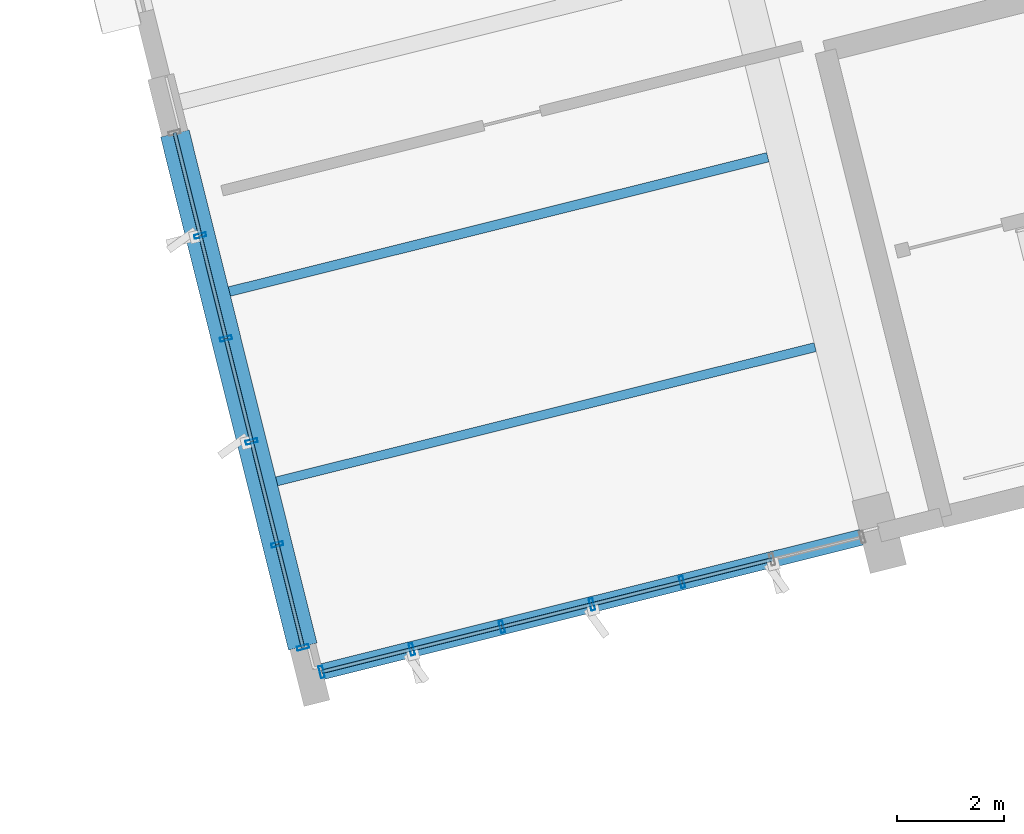
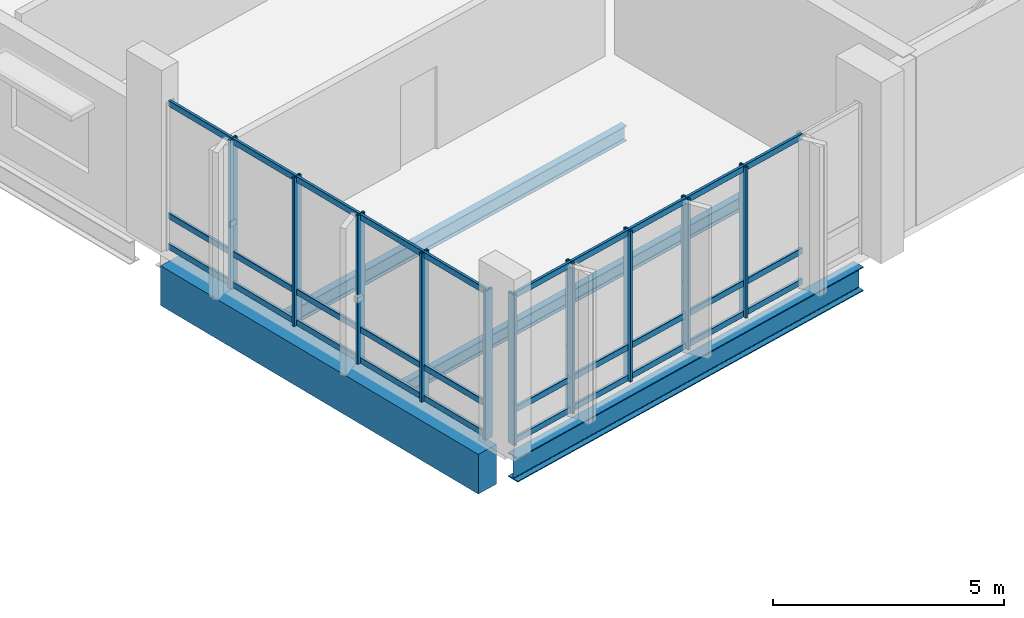
# One storey, part 59 of 137: 40 members, 4 beams, 2 elements without a shape of their own.
"""IFC4 building model written with IfcOpenShell, lengths in metres."""

from ifc_helpers import new_model, si_unit, direction, frame, origin, origin_2d, place, context, subcontext, project, spatial, rectangle, hollow_rectangle, i_section, extrude, material, layer, layer_set, material_profile, profile_set, type_object, element, aggregate, save


model = new_model("IFC4")

# Units and contexts
model_context = context("Model", 3, precision=1e-05, world=origin(), true_north=direction((0.0, 1.0)))
body_context = subcontext(model_context, "Body", "Model", "MODEL_VIEW")
ifc_project = project(units=[si_unit("LENGTHUNIT", "METRE"), si_unit("AREAUNIT", "SQUARE_METRE"), si_unit("VOLUMEUNIT", "CUBIC_METRE"), si_unit("PLANEANGLEUNIT", "RADIAN"), si_unit("MASSUNIT", "GRAM", prefix="KILO")], contexts=[model_context])

# Site, building, storey
site_placement = place(None, origin())
site = spatial("IfcSite", under=ifc_project, at=site_placement, CompositionType="ELEMENT")
building_placement = place(site_placement, origin())
building = spatial("IfcBuilding", under=site, at=building_placement, Name="Khorjan Park Terminus", CompositionType="ELEMENT")
storey_placement = place(building_placement, frame((0.0, 0.0, 11.4)))
storey = spatial("IfcBuildingStorey", under=building, at=storey_placement, Name="L02", CompositionType="ELEMENT", Elevation=11.4)

# Beams
ifc_material_1 = material(Name="Steel S355", Category="steel")
ifc_material_profile_1 = material_profile(ifc_material_1, i_section(OverallWidth=0.3, OverallDepth=0.64, WebThickness=0.0135, FlangeThickness=0.026, FilletRadius=0.027, at=origin_2d()), Name="HEA 650")
ifc_profile_set_1 = profile_set([ifc_material_profile_1], Name="Steel S355")
beam_type_1 = type_object("IfcBeamType", Name="BM-HEA650", PredefinedType="BEAM", material=ifc_profile_set_1)
beam_1_placement = place(storey_placement, frame((166.2377, 2.0593, -0.67), z_axis=(0.970296003428, 0.241920784001, 0.0), x_axis=(-0.241920784001, 0.970296003428, 0.0)))
element("IfcBeam", 1, at=beam_1_placement, inside=storey, type_object=beam_type_1, Name="Primary skew-grid floor girder SB-A65 (L02)", PredefinedType="BEAM", context=body_context, shape_type="SweptSolid", body=[
    extrude(i_section(OverallWidth=0.3, OverallDepth=0.64, WebThickness=0.0135, FlangeThickness=0.026, FilletRadius=0.027, at=origin_2d()), origin(), (0.0, 0.0, 1.0), 10.41),
])
ifc_material_2 = material(Name="Concrete C40/50", Category="concrete")
ifc_material_profile_2 = material_profile(ifc_material_2, rectangle(XDim=0.55, YDim=1.05, at=origin_2d()), Name="RC 550x1050")
ifc_profile_set_2 = profile_set([ifc_material_profile_2], Name="Concrete C40/50")
beam_type_2 = type_object("IfcBeamType", Name="BM-RC550x1050", PredefinedType="BEAM", material=ifc_profile_set_2)
beam_2_placement = place(storey_placement, frame((165.8682, 2.5288, -0.875), z_axis=(-0.24192775306, 0.970294265828, 0.0), x_axis=(-0.970294265828, -0.24192775306, 0.0)))
element("IfcBeam", 2, at=beam_2_placement, inside=storey, type_object=beam_type_2, Name="Primary skew-grid floor girder GB-105 (L02)", PredefinedType="BEAM", context=body_context, shape_type="SweptSolid", body=[
    extrude(rectangle(XDim=0.55, YDim=1.05, at=origin_2d()), origin(), (0.0, 0.0, 1.0), 9.91),
])
ifc_material_profile_3 = material_profile(ifc_material_1, i_section(OverallWidth=0.17, OverallDepth=0.36, WebThickness=0.008, FlangeThickness=0.0127, FilletRadius=0.018, at=origin_2d()), Name="IPE 360")
ifc_profile_set_3 = profile_set([ifc_material_profile_3], Name="Steel S355")
beam_type_3 = type_object("IfcBeamType", Name="JS-IPE360", PredefinedType="JOIST", material=ifc_profile_set_3)
beam_3_placement = place(storey_placement, frame((165.3798, 5.6243, -0.53), z_axis=(0.970295586552, 0.241922456002, 0.0), x_axis=(-0.241922456002, 0.970295586552, 0.0)))
element("IfcBeam", 3, at=beam_3_placement, inside=storey, type_object=beam_type_3, Name="Secondary composite floor joist SJ-36 (L02)", PredefinedType="JOIST", context=body_context, shape_type="SweptSolid", body=[
    extrude(i_section(OverallWidth=0.17, OverallDepth=0.36, WebThickness=0.008, FlangeThickness=0.0127, FilletRadius=0.018, at=origin_2d()), origin(), (0.0, 0.0, 1.0), 10.4),
])
ifc_material_profile_4 = material_profile(ifc_material_1, i_section(OverallWidth=0.18, OverallDepth=0.4, WebThickness=0.0086, FlangeThickness=0.0135, FilletRadius=0.021, at=origin_2d()), Name="IPE 400")
ifc_profile_set_4 = profile_set([ifc_material_profile_4], Name="Steel S355")
beam_type_4 = type_object("IfcBeamType", Name="JS-IPE400", PredefinedType="JOIST", material=ifc_profile_set_4)
beam_4_placement = place(storey_placement, frame((164.4927, 9.182, -0.55), z_axis=(0.970295586552, 0.241922456002, 0.0), x_axis=(-0.241922456002, 0.970295586552, 0.0)))
element("IfcBeam", 4, at=beam_4_placement, inside=storey, type_object=beam_type_4, Name="Secondary composite floor joist SJ-40 (L02)", PredefinedType="JOIST", context=body_context, shape_type="SweptSolid", body=[
    extrude(i_section(OverallWidth=0.18, OverallDepth=0.4, WebThickness=0.0086, FlangeThickness=0.0135, FilletRadius=0.021, at=origin_2d()), origin(), (0.0, 0.0, 1.0), 10.4),
])

# Curtain wall, members
ifc_material_3 = material(Name="Anodized Bronze Aluminium", Category="aluminium")
ifc_layer = layer(ifc_material_3, 0.22)
ifc_layer_set = layer_set([ifc_layer], Name="Anodized Bronze Aluminium")
curtain_wall_type = type_object("IfcCurtainWallType", Name="CW-OPS-B", PredefinedType="NOTDEFINED", material=ifc_layer_set)
curtain_wall_1_placement = place(storey_placement, origin())
curtain_wall_1 = element("IfcCurtainWall", 5, at=curtain_wall_1_placement, inside=storey, type_object=curtain_wall_type, Name="Unitized curtain wall CW-B (CW-V5-S-L02-B01)", PredefinedType="NOTDEFINED")
ifc_material_profile_5 = material_profile(ifc_material_3, hollow_rectangle(XDim=0.075, YDim=0.225, WallThickness=0.005, InnerFilletRadius=0.005, OuterFilletRadius=0.01, at=origin_2d()), Name="ALM 75x225x5")
ifc_profile_set_5 = profile_set([ifc_material_profile_5], Name="Anodized Bronze Aluminium")
member_type_1 = type_object("IfcMemberType", Name="ML-ALM-225", PredefinedType="MULLION", material=ifc_profile_set_5)
member_1_placement = place(storey_placement, frame((166.2232, 2.0556, -0.035), z_axis=(0.0, 0.0, 1.0), x_axis=(0.970295567478, 0.241922532503, 0.0)))
member_1 = element("IfcMember", 6, at=member_1_placement, type_object=member_type_1, Name="Curtain-wall mullion ML-22 (CW-V5-S-L02-B01-0)", PredefinedType="MULLION", context=body_context, shape_type="SweptSolid", body=[
    extrude(hollow_rectangle(XDim=0.075, YDim=0.225, WallThickness=0.005, InnerFilletRadius=0.005, OuterFilletRadius=0.01, at=origin_2d()), origin(), (0.0, 0.0, 1.0), 3.985),
])
member_2_placement = place(storey_placement, frame((167.9115, 2.4765, -0.035), z_axis=(0.0, 0.0, 1.0), x_axis=(0.970295567478, 0.241922532503, 0.0)))
member_2 = element("IfcMember", 7, at=member_2_placement, type_object=member_type_1, Name="Curtain-wall mullion ML-22 (CW-V5-S-L02-B01-1)", PredefinedType="MULLION", context=body_context, shape_type="SweptSolid", body=[
    extrude(hollow_rectangle(XDim=0.075, YDim=0.225, WallThickness=0.005, InnerFilletRadius=0.005, OuterFilletRadius=0.01, at=origin_2d()), origin(), (0.0, 0.0, 1.0), 3.985),
])
member_3_placement = place(storey_placement, frame((169.5997, 2.8975, -0.035), z_axis=(0.0, 0.0, 1.0), x_axis=(0.970295567478, 0.241922532503, 0.0)))
member_3 = element("IfcMember", 8, at=member_3_placement, type_object=member_type_1, Name="Curtain-wall mullion ML-22 (CW-V5-S-L02-B01-2)", PredefinedType="MULLION", context=body_context, shape_type="SweptSolid", body=[
    extrude(hollow_rectangle(XDim=0.075, YDim=0.225, WallThickness=0.005, InnerFilletRadius=0.005, OuterFilletRadius=0.01, at=origin_2d()), origin(), (0.0, 0.0, 1.0), 3.985),
])
member_4_placement = place(storey_placement, frame((171.288, 3.3184, -0.035), z_axis=(0.0, 0.0, 1.0), x_axis=(0.970295567478, 0.241922532503, 0.0)))
member_4 = element("IfcMember", 9, at=member_4_placement, type_object=member_type_1, Name="Curtain-wall mullion ML-22 (CW-V5-S-L02-B01-3)", PredefinedType="MULLION", context=body_context, shape_type="SweptSolid", body=[
    extrude(hollow_rectangle(XDim=0.075, YDim=0.225, WallThickness=0.005, InnerFilletRadius=0.005, OuterFilletRadius=0.01, at=origin_2d()), origin(), (0.0, 0.0, 1.0), 3.985),
])
member_5_placement = place(storey_placement, frame((172.9763, 3.7393, -0.035), z_axis=(0.0, 0.0, 1.0), x_axis=(0.970295567478, 0.241922532503, 0.0)))
member_5 = element("IfcMember", 10, at=member_5_placement, type_object=member_type_1, Name="Curtain-wall mullion ML-22 (CW-V5-S-L02-B01-4)", PredefinedType="MULLION", context=body_context, shape_type="SweptSolid", body=[
    extrude(hollow_rectangle(XDim=0.075, YDim=0.225, WallThickness=0.005, InnerFilletRadius=0.005, OuterFilletRadius=0.01, at=origin_2d()), origin(), (0.0, 0.0, 1.0), 3.985),
])

curtain_wall_2_placement = place(storey_placement, origin())
curtain_wall_2 = element("IfcCurtainWall", 11, at=curtain_wall_2_placement, inside=storey, type_object=curtain_wall_type, Name="Unitized curtain wall CW-B (CW-V5-W-L02-B03)", PredefinedType="NOTDEFINED")
member_6_placement = place(storey_placement, frame((163.9481, 10.2298, -0.035), z_axis=(0.0, 0.0, 1.0), x_axis=(0.24192009683, -0.970296174758, 0.0)))
member_6 = element("IfcMember", 12, at=member_6_placement, type_object=member_type_1, Name="Curtain-wall mullion ML-22 (CW-V5-W-L02-B03-1)", PredefinedType="MULLION", context=body_context, shape_type="SweptSolid", body=[
    extrude(hollow_rectangle(XDim=0.075, YDim=0.225, WallThickness=0.005, InnerFilletRadius=0.005, OuterFilletRadius=0.01, at=origin_2d()), origin(), (0.0, 0.0, 1.0), 3.935),
])
member_7_placement = place(storey_placement, frame((164.429, 8.3009, -0.035), z_axis=(0.0, 0.0, 1.0), x_axis=(0.24192009683, -0.970296174758, 0.0)))
member_7 = element("IfcMember", 13, at=member_7_placement, type_object=member_type_1, Name="Curtain-wall mullion ML-22 (CW-V5-W-L02-B03-2)", PredefinedType="MULLION", context=body_context, shape_type="SweptSolid", body=[
    extrude(hollow_rectangle(XDim=0.075, YDim=0.225, WallThickness=0.005, InnerFilletRadius=0.005, OuterFilletRadius=0.01, at=origin_2d()), origin(), (0.0, 0.0, 1.0), 3.935),
])
member_8_placement = place(storey_placement, frame((164.91, 6.3721, -0.035), z_axis=(0.0, 0.0, 1.0), x_axis=(0.24192009683, -0.970296174758, 0.0)))
member_8 = element("IfcMember", 14, at=member_8_placement, type_object=member_type_1, Name="Curtain-wall mullion ML-22 (CW-V5-W-L02-B03-3)", PredefinedType="MULLION", context=body_context, shape_type="SweptSolid", body=[
    extrude(hollow_rectangle(XDim=0.075, YDim=0.225, WallThickness=0.005, InnerFilletRadius=0.005, OuterFilletRadius=0.01, at=origin_2d()), origin(), (0.0, 0.0, 1.0), 3.935),
])
member_9_placement = place(storey_placement, frame((165.3909, 4.4432, -0.035), z_axis=(0.0, 0.0, 1.0), x_axis=(0.24192009683, -0.970296174758, 0.0)))
member_9 = element("IfcMember", 15, at=member_9_placement, type_object=member_type_1, Name="Curtain-wall mullion ML-22 (CW-V5-W-L02-B03-4)", PredefinedType="MULLION", context=body_context, shape_type="SweptSolid", body=[
    extrude(hollow_rectangle(XDim=0.075, YDim=0.225, WallThickness=0.005, InnerFilletRadius=0.005, OuterFilletRadius=0.01, at=origin_2d()), origin(), (0.0, 0.0, 1.0), 3.935),
])
member_10_placement = place(storey_placement, frame((165.8718, 2.5143, -0.035), z_axis=(0.0, 0.0, 1.0), x_axis=(0.24192009683, -0.970296174758, 0.0)))
member_10 = element("IfcMember", 16, at=member_10_placement, type_object=member_type_1, Name="Curtain-wall mullion ML-22 (CW-V5-W-L02-B03-5)", PredefinedType="MULLION", context=body_context, shape_type="SweptSolid", body=[
    extrude(hollow_rectangle(XDim=0.075, YDim=0.225, WallThickness=0.005, InnerFilletRadius=0.005, OuterFilletRadius=0.01, at=origin_2d()), origin(), (0.0, 0.0, 1.0), 3.935),
])

# Member
ifc_material_profile_6 = material_profile(ifc_material_3, hollow_rectangle(XDim=0.07, YDim=0.16, WallThickness=0.004, InnerFilletRadius=0.004, OuterFilletRadius=0.008, at=origin_2d()), Name="ALT 70x160x4")
ifc_profile_set_6 = profile_set([ifc_material_profile_6], Name="Anodized Bronze Aluminium")
member_type_2 = type_object("IfcMemberType", Name="TR-ALT-160", PredefinedType="USERDEFINED", material=ifc_profile_set_6)
member_11_placement = place(storey_placement, frame((166.2232, 2.0556, 0.04), z_axis=(0.97030118536, 0.241899999359, 0.0), x_axis=(-0.241899999359, 0.97030118536, 0.0)))
member_11 = element("IfcMember", 17, at=member_11_placement, type_object=member_type_2, Name="Curtain-wall transom TR-16 (CW-V5-S-L02-B01-0-1)", ObjectType="TRANSOM", PredefinedType="USERDEFINED", context=body_context, shape_type="SweptSolid", body=[
    extrude(hollow_rectangle(XDim=0.07, YDim=0.16, WallThickness=0.004, InnerFilletRadius=0.004, OuterFilletRadius=0.008, at=origin_2d()), origin(), (0.0, 0.0, 1.0), 1.74),
])

member_12_placement = place(storey_placement, frame((166.2232, 2.0556, 0.85), z_axis=(0.97030118536, 0.241899999359, 0.0), x_axis=(-0.241899999359, 0.97030118536, 0.0)))
member_12 = element("IfcMember", 18, at=member_12_placement, type_object=member_type_2, Name="Curtain-wall transom TR-16 (CW-V5-S-L02-B01-0-2)", ObjectType="TRANSOM", PredefinedType="USERDEFINED", context=body_context, shape_type="SweptSolid", body=[
    extrude(hollow_rectangle(XDim=0.07, YDim=0.16, WallThickness=0.004, InnerFilletRadius=0.004, OuterFilletRadius=0.008, at=origin_2d()), origin(), (0.0, 0.0, 1.0), 1.74),
])

member_13_placement = place(storey_placement, frame((166.2232, 2.0556, 3.875), z_axis=(0.97030118536, 0.241899999359, 0.0), x_axis=(-0.241899999359, 0.97030118536, 0.0)))
member_13 = element("IfcMember", 19, at=member_13_placement, type_object=member_type_2, Name="Curtain-wall transom TR-16 (CW-V5-S-L02-B01-0-3)", ObjectType="TRANSOM", PredefinedType="USERDEFINED", context=body_context, shape_type="SweptSolid", body=[
    extrude(hollow_rectangle(XDim=0.07, YDim=0.16, WallThickness=0.004, InnerFilletRadius=0.004, OuterFilletRadius=0.008, at=origin_2d()), origin(), (0.0, 0.0, 1.0), 1.74),
])

member_14_placement = place(storey_placement, frame((167.9115, 2.4765, 0.04), z_axis=(0.970284329676, 0.24196760028, 0.0), x_axis=(-0.24196760028, 0.970284329676, 0.0)))
member_14 = element("IfcMember", 20, at=member_14_placement, type_object=member_type_2, Name="Curtain-wall transom TR-16 (CW-V5-S-L02-B01-1-1)", ObjectType="TRANSOM", PredefinedType="USERDEFINED", context=body_context, shape_type="SweptSolid", body=[
    extrude(hollow_rectangle(XDim=0.07, YDim=0.16, WallThickness=0.004, InnerFilletRadius=0.004, OuterFilletRadius=0.008, at=origin_2d()), origin(), (0.0, 0.0, 1.0), 1.7399),
])

member_15_placement = place(storey_placement, frame((167.9115, 2.4765, 0.85), z_axis=(0.970284329676, 0.24196760028, 0.0), x_axis=(-0.24196760028, 0.970284329676, 0.0)))
member_15 = element("IfcMember", 21, at=member_15_placement, type_object=member_type_2, Name="Curtain-wall transom TR-16 (CW-V5-S-L02-B01-1-2)", ObjectType="TRANSOM", PredefinedType="USERDEFINED", context=body_context, shape_type="SweptSolid", body=[
    extrude(hollow_rectangle(XDim=0.07, YDim=0.16, WallThickness=0.004, InnerFilletRadius=0.004, OuterFilletRadius=0.008, at=origin_2d()), origin(), (0.0, 0.0, 1.0), 1.7399),
])

member_16_placement = place(storey_placement, frame((167.9115, 2.4765, 3.875), z_axis=(0.970284329676, 0.24196760028, 0.0), x_axis=(-0.24196760028, 0.970284329676, 0.0)))
member_16 = element("IfcMember", 22, at=member_16_placement, type_object=member_type_2, Name="Curtain-wall transom TR-16 (CW-V5-S-L02-B01-1-3)", ObjectType="TRANSOM", PredefinedType="USERDEFINED", context=body_context, shape_type="SweptSolid", body=[
    extrude(hollow_rectangle(XDim=0.07, YDim=0.16, WallThickness=0.004, InnerFilletRadius=0.004, OuterFilletRadius=0.008, at=origin_2d()), origin(), (0.0, 0.0, 1.0), 1.7399),
])

member_17_placement = place(storey_placement, frame((169.5997, 2.8975, 0.04), z_axis=(0.97030118536, 0.241899999359, 0.0), x_axis=(-0.241899999359, 0.97030118536, 0.0)))
member_17 = element("IfcMember", 23, at=member_17_placement, type_object=member_type_2, Name="Curtain-wall transom TR-16 (CW-V5-S-L02-B01-2-1)", ObjectType="TRANSOM", PredefinedType="USERDEFINED", context=body_context, shape_type="SweptSolid", body=[
    extrude(hollow_rectangle(XDim=0.07, YDim=0.16, WallThickness=0.004, InnerFilletRadius=0.004, OuterFilletRadius=0.008, at=origin_2d()), origin(), (0.0, 0.0, 1.0), 1.74),
])

member_18_placement = place(storey_placement, frame((169.5997, 2.8975, 0.85), z_axis=(0.97030118536, 0.241899999359, 0.0), x_axis=(-0.241899999359, 0.97030118536, 0.0)))
member_18 = element("IfcMember", 24, at=member_18_placement, type_object=member_type_2, Name="Curtain-wall transom TR-16 (CW-V5-S-L02-B01-2-2)", ObjectType="TRANSOM", PredefinedType="USERDEFINED", context=body_context, shape_type="SweptSolid", body=[
    extrude(hollow_rectangle(XDim=0.07, YDim=0.16, WallThickness=0.004, InnerFilletRadius=0.004, OuterFilletRadius=0.008, at=origin_2d()), origin(), (0.0, 0.0, 1.0), 1.74),
])

member_19_placement = place(storey_placement, frame((169.5997, 2.8975, 3.875), z_axis=(0.97030118536, 0.241899999359, 0.0), x_axis=(-0.241899999359, 0.97030118536, 0.0)))
member_19 = element("IfcMember", 25, at=member_19_placement, type_object=member_type_2, Name="Curtain-wall transom TR-16 (CW-V5-S-L02-B01-2-3)", ObjectType="TRANSOM", PredefinedType="USERDEFINED", context=body_context, shape_type="SweptSolid", body=[
    extrude(hollow_rectangle(XDim=0.07, YDim=0.16, WallThickness=0.004, InnerFilletRadius=0.004, OuterFilletRadius=0.008, at=origin_2d()), origin(), (0.0, 0.0, 1.0), 1.74),
])

member_20_placement = place(storey_placement, frame((171.288, 3.3184, 0.04), z_axis=(0.97030118536, 0.241899999359, 0.0), x_axis=(-0.241899999359, 0.97030118536, 0.0)))
member_20 = element("IfcMember", 26, at=member_20_placement, type_object=member_type_2, Name="Curtain-wall transom TR-16 (CW-V5-S-L02-B01-3-1)", ObjectType="TRANSOM", PredefinedType="USERDEFINED", context=body_context, shape_type="SweptSolid", body=[
    extrude(hollow_rectangle(XDim=0.07, YDim=0.16, WallThickness=0.004, InnerFilletRadius=0.004, OuterFilletRadius=0.008, at=origin_2d()), origin(), (0.0, 0.0, 1.0), 1.74),
])

member_21_placement = place(storey_placement, frame((171.288, 3.3184, 0.85), z_axis=(0.97030118536, 0.241899999359, 0.0), x_axis=(-0.241899999359, 0.97030118536, 0.0)))
member_21 = element("IfcMember", 27, at=member_21_placement, type_object=member_type_2, Name="Curtain-wall transom TR-16 (CW-V5-S-L02-B01-3-2)", ObjectType="TRANSOM", PredefinedType="USERDEFINED", context=body_context, shape_type="SweptSolid", body=[
    extrude(hollow_rectangle(XDim=0.07, YDim=0.16, WallThickness=0.004, InnerFilletRadius=0.004, OuterFilletRadius=0.008, at=origin_2d()), origin(), (0.0, 0.0, 1.0), 1.74),
])

member_22_placement = place(storey_placement, frame((171.288, 3.3184, 3.875), z_axis=(0.97030118536, 0.241899999359, 0.0), x_axis=(-0.241899999359, 0.97030118536, 0.0)))
member_22 = element("IfcMember", 28, at=member_22_placement, type_object=member_type_2, Name="Curtain-wall transom TR-16 (CW-V5-S-L02-B01-3-3)", ObjectType="TRANSOM", PredefinedType="USERDEFINED", context=body_context, shape_type="SweptSolid", body=[
    extrude(hollow_rectangle(XDim=0.07, YDim=0.16, WallThickness=0.004, InnerFilletRadius=0.004, OuterFilletRadius=0.008, at=origin_2d()), origin(), (0.0, 0.0, 1.0), 1.74),
])

member_23_placement = place(storey_placement, frame((172.9763, 3.7393, 0.04), z_axis=(0.970284329676, 0.24196760028, 0.0), x_axis=(-0.24196760028, 0.970284329676, 0.0)))
member_23 = element("IfcMember", 29, at=member_23_placement, type_object=member_type_2, Name="Curtain-wall transom TR-16 (CW-V5-S-L02-B01-4-1)", ObjectType="TRANSOM", PredefinedType="USERDEFINED", context=body_context, shape_type="SweptSolid", body=[
    extrude(hollow_rectangle(XDim=0.07, YDim=0.16, WallThickness=0.004, InnerFilletRadius=0.004, OuterFilletRadius=0.008, at=origin_2d()), origin(), (0.0, 0.0, 1.0), 1.7399),
])

member_24_placement = place(storey_placement, frame((172.9763, 3.7393, 0.85), z_axis=(0.970284329676, 0.24196760028, 0.0), x_axis=(-0.24196760028, 0.970284329676, 0.0)))
member_24 = element("IfcMember", 30, at=member_24_placement, type_object=member_type_2, Name="Curtain-wall transom TR-16 (CW-V5-S-L02-B01-4-2)", ObjectType="TRANSOM", PredefinedType="USERDEFINED", context=body_context, shape_type="SweptSolid", body=[
    extrude(hollow_rectangle(XDim=0.07, YDim=0.16, WallThickness=0.004, InnerFilletRadius=0.004, OuterFilletRadius=0.008, at=origin_2d()), origin(), (0.0, 0.0, 1.0), 1.7399),
])

member_25_placement = place(storey_placement, frame((172.9763, 3.7393, 3.875), z_axis=(0.970284329676, 0.24196760028, 0.0), x_axis=(-0.24196760028, 0.970284329676, 0.0)))
member_25 = element("IfcMember", 31, at=member_25_placement, type_object=member_type_2, Name="Curtain-wall transom TR-16 (CW-V5-S-L02-B01-4-3)", ObjectType="TRANSOM", PredefinedType="USERDEFINED", context=body_context, shape_type="SweptSolid", body=[
    extrude(hollow_rectangle(XDim=0.07, YDim=0.16, WallThickness=0.004, InnerFilletRadius=0.004, OuterFilletRadius=0.008, at=origin_2d()), origin(), (0.0, 0.0, 1.0), 1.7399),
])

aggregate(curtain_wall_1, [member_1, member_2, member_3, member_4, member_5, member_11, member_12, member_13, member_14, member_15, member_16, member_17, member_18, member_19, member_20, member_21, member_22, member_23, member_24, member_25])

member_26_placement = place(storey_placement, frame((163.4672, 12.1587, 0.04), z_axis=(0.241908263386, -0.970299125067, 0.0), x_axis=(0.970299125067, 0.241908263386, 0.0)))
member_26 = element("IfcMember", 32, at=member_26_placement, type_object=member_type_2, Name="Curtain-wall transom TR-16 (CW-V5-W-L02-B03-0-1)", ObjectType="TRANSOM", PredefinedType="USERDEFINED", context=body_context, shape_type="SweptSolid", body=[
    extrude(hollow_rectangle(XDim=0.07, YDim=0.16, WallThickness=0.004, InnerFilletRadius=0.004, OuterFilletRadius=0.008, at=origin_2d()), origin(), (0.0, 0.0, 1.0), 1.9879),
])

member_27_placement = place(storey_placement, frame((163.4672, 12.1587, 0.85), z_axis=(0.241908263386, -0.970299125067, 0.0), x_axis=(0.970299125067, 0.241908263386, 0.0)))
member_27 = element("IfcMember", 33, at=member_27_placement, type_object=member_type_2, Name="Curtain-wall transom TR-16 (CW-V5-W-L02-B03-0-2)", ObjectType="TRANSOM", PredefinedType="USERDEFINED", context=body_context, shape_type="SweptSolid", body=[
    extrude(hollow_rectangle(XDim=0.07, YDim=0.16, WallThickness=0.004, InnerFilletRadius=0.004, OuterFilletRadius=0.008, at=origin_2d()), origin(), (0.0, 0.0, 1.0), 1.9879),
])

member_28_placement = place(storey_placement, frame((163.4672, 12.1587, 3.825), z_axis=(0.241908263386, -0.970299125067, 0.0), x_axis=(0.970299125067, 0.241908263386, 0.0)))
member_28 = element("IfcMember", 34, at=member_28_placement, type_object=member_type_2, Name="Curtain-wall transom TR-16 (CW-V5-W-L02-B03-0-3)", ObjectType="TRANSOM", PredefinedType="USERDEFINED", context=body_context, shape_type="SweptSolid", body=[
    extrude(hollow_rectangle(XDim=0.07, YDim=0.16, WallThickness=0.004, InnerFilletRadius=0.004, OuterFilletRadius=0.008, at=origin_2d()), origin(), (0.0, 0.0, 1.0), 1.9879),
])

member_29_placement = place(storey_placement, frame((163.9481, 10.2298, 0.04), z_axis=(0.241908263386, -0.970299125067, 0.0), x_axis=(0.970299125067, 0.241908263386, 0.0)))
member_29 = element("IfcMember", 35, at=member_29_placement, type_object=member_type_2, Name="Curtain-wall transom TR-16 (CW-V5-W-L02-B03-1-1)", ObjectType="TRANSOM", PredefinedType="USERDEFINED", context=body_context, shape_type="SweptSolid", body=[
    extrude(hollow_rectangle(XDim=0.07, YDim=0.16, WallThickness=0.004, InnerFilletRadius=0.004, OuterFilletRadius=0.008, at=origin_2d()), origin(), (0.0, 0.0, 1.0), 1.9879),
])

member_30_placement = place(storey_placement, frame((163.9481, 10.2298, 0.85), z_axis=(0.241908263386, -0.970299125067, 0.0), x_axis=(0.970299125067, 0.241908263386, 0.0)))
member_30 = element("IfcMember", 36, at=member_30_placement, type_object=member_type_2, Name="Curtain-wall transom TR-16 (CW-V5-W-L02-B03-1-2)", ObjectType="TRANSOM", PredefinedType="USERDEFINED", context=body_context, shape_type="SweptSolid", body=[
    extrude(hollow_rectangle(XDim=0.07, YDim=0.16, WallThickness=0.004, InnerFilletRadius=0.004, OuterFilletRadius=0.008, at=origin_2d()), origin(), (0.0, 0.0, 1.0), 1.9879),
])

member_31_placement = place(storey_placement, frame((163.9481, 10.2298, 3.825), z_axis=(0.241908263386, -0.970299125067, 0.0), x_axis=(0.970299125067, 0.241908263386, 0.0)))
member_31 = element("IfcMember", 37, at=member_31_placement, type_object=member_type_2, Name="Curtain-wall transom TR-16 (CW-V5-W-L02-B03-1-3)", ObjectType="TRANSOM", PredefinedType="USERDEFINED", context=body_context, shape_type="SweptSolid", body=[
    extrude(hollow_rectangle(XDim=0.07, YDim=0.16, WallThickness=0.004, InnerFilletRadius=0.004, OuterFilletRadius=0.008, at=origin_2d()), origin(), (0.0, 0.0, 1.0), 1.9879),
])

member_32_placement = place(storey_placement, frame((164.429, 8.3009, 0.04), z_axis=(0.24196743196, -0.970284371651, 0.0), x_axis=(0.970284371651, 0.24196743196, 0.0)))
member_32 = element("IfcMember", 38, at=member_32_placement, type_object=member_type_2, Name="Curtain-wall transom TR-16 (CW-V5-W-L02-B03-2-1)", ObjectType="TRANSOM", PredefinedType="USERDEFINED", context=body_context, shape_type="SweptSolid", body=[
    extrude(hollow_rectangle(XDim=0.07, YDim=0.16, WallThickness=0.004, InnerFilletRadius=0.004, OuterFilletRadius=0.008, at=origin_2d()), origin(), (0.0, 0.0, 1.0), 1.9879),
])

member_33_placement = place(storey_placement, frame((164.429, 8.3009, 0.85), z_axis=(0.24196743196, -0.970284371651, 0.0), x_axis=(0.970284371651, 0.24196743196, 0.0)))
member_33 = element("IfcMember", 39, at=member_33_placement, type_object=member_type_2, Name="Curtain-wall transom TR-16 (CW-V5-W-L02-B03-2-2)", ObjectType="TRANSOM", PredefinedType="USERDEFINED", context=body_context, shape_type="SweptSolid", body=[
    extrude(hollow_rectangle(XDim=0.07, YDim=0.16, WallThickness=0.004, InnerFilletRadius=0.004, OuterFilletRadius=0.008, at=origin_2d()), origin(), (0.0, 0.0, 1.0), 1.9879),
])

member_34_placement = place(storey_placement, frame((164.429, 8.3009, 3.825), z_axis=(0.24196743196, -0.970284371651, 0.0), x_axis=(0.970284371651, 0.24196743196, 0.0)))
member_34 = element("IfcMember", 40, at=member_34_placement, type_object=member_type_2, Name="Curtain-wall transom TR-16 (CW-V5-W-L02-B03-2-3)", ObjectType="TRANSOM", PredefinedType="USERDEFINED", context=body_context, shape_type="SweptSolid", body=[
    extrude(hollow_rectangle(XDim=0.07, YDim=0.16, WallThickness=0.004, InnerFilletRadius=0.004, OuterFilletRadius=0.008, at=origin_2d()), origin(), (0.0, 0.0, 1.0), 1.9879),
])

member_35_placement = place(storey_placement, frame((164.91, 6.3721, 0.04), z_axis=(0.241908263386, -0.970299125067, 0.0), x_axis=(0.970299125067, 0.241908263386, 0.0)))
member_35 = element("IfcMember", 41, at=member_35_placement, type_object=member_type_2, Name="Curtain-wall transom TR-16 (CW-V5-W-L02-B03-3-1)", ObjectType="TRANSOM", PredefinedType="USERDEFINED", context=body_context, shape_type="SweptSolid", body=[
    extrude(hollow_rectangle(XDim=0.07, YDim=0.16, WallThickness=0.004, InnerFilletRadius=0.004, OuterFilletRadius=0.008, at=origin_2d()), origin(), (0.0, 0.0, 1.0), 1.9879),
])

member_36_placement = place(storey_placement, frame((164.91, 6.3721, 0.85), z_axis=(0.241908263386, -0.970299125067, 0.0), x_axis=(0.970299125067, 0.241908263386, 0.0)))
member_36 = element("IfcMember", 42, at=member_36_placement, type_object=member_type_2, Name="Curtain-wall transom TR-16 (CW-V5-W-L02-B03-3-2)", ObjectType="TRANSOM", PredefinedType="USERDEFINED", context=body_context, shape_type="SweptSolid", body=[
    extrude(hollow_rectangle(XDim=0.07, YDim=0.16, WallThickness=0.004, InnerFilletRadius=0.004, OuterFilletRadius=0.008, at=origin_2d()), origin(), (0.0, 0.0, 1.0), 1.9879),
])

member_37_placement = place(storey_placement, frame((164.91, 6.3721, 3.825), z_axis=(0.241908263386, -0.970299125067, 0.0), x_axis=(0.970299125067, 0.241908263386, 0.0)))
member_37 = element("IfcMember", 43, at=member_37_placement, type_object=member_type_2, Name="Curtain-wall transom TR-16 (CW-V5-W-L02-B03-3-3)", ObjectType="TRANSOM", PredefinedType="USERDEFINED", context=body_context, shape_type="SweptSolid", body=[
    extrude(hollow_rectangle(XDim=0.07, YDim=0.16, WallThickness=0.004, InnerFilletRadius=0.004, OuterFilletRadius=0.008, at=origin_2d()), origin(), (0.0, 0.0, 1.0), 1.9879),
])

member_38_placement = place(storey_placement, frame((165.3909, 4.4432, 0.04), z_axis=(0.241908263386, -0.970299125067, 0.0), x_axis=(0.970299125067, 0.241908263386, 0.0)))
member_38 = element("IfcMember", 44, at=member_38_placement, type_object=member_type_2, Name="Curtain-wall transom TR-16 (CW-V5-W-L02-B03-4-1)", ObjectType="TRANSOM", PredefinedType="USERDEFINED", context=body_context, shape_type="SweptSolid", body=[
    extrude(hollow_rectangle(XDim=0.07, YDim=0.16, WallThickness=0.004, InnerFilletRadius=0.004, OuterFilletRadius=0.008, at=origin_2d()), origin(), (0.0, 0.0, 1.0), 1.9879),
])

member_39_placement = place(storey_placement, frame((165.3909, 4.4432, 0.85), z_axis=(0.241908263386, -0.970299125067, 0.0), x_axis=(0.970299125067, 0.241908263386, 0.0)))
member_39 = element("IfcMember", 45, at=member_39_placement, type_object=member_type_2, Name="Curtain-wall transom TR-16 (CW-V5-W-L02-B03-4-2)", ObjectType="TRANSOM", PredefinedType="USERDEFINED", context=body_context, shape_type="SweptSolid", body=[
    extrude(hollow_rectangle(XDim=0.07, YDim=0.16, WallThickness=0.004, InnerFilletRadius=0.004, OuterFilletRadius=0.008, at=origin_2d()), origin(), (0.0, 0.0, 1.0), 1.9879),
])

member_40_placement = place(storey_placement, frame((165.3909, 4.4432, 3.825), z_axis=(0.241908263386, -0.970299125067, 0.0), x_axis=(0.970299125067, 0.241908263386, 0.0)))
member_40 = element("IfcMember", 46, at=member_40_placement, type_object=member_type_2, Name="Curtain-wall transom TR-16 (CW-V5-W-L02-B03-4-3)", ObjectType="TRANSOM", PredefinedType="USERDEFINED", context=body_context, shape_type="SweptSolid", body=[
    extrude(hollow_rectangle(XDim=0.07, YDim=0.16, WallThickness=0.004, InnerFilletRadius=0.004, OuterFilletRadius=0.008, at=origin_2d()), origin(), (0.0, 0.0, 1.0), 1.9879),
])

aggregate(curtain_wall_2, [member_6, member_7, member_8, member_9, member_10, member_26, member_27, member_28, member_29, member_30, member_31, member_32, member_33, member_34, member_35, member_36, member_37, member_38, member_39, member_40])

save(model, "model.ifc")
